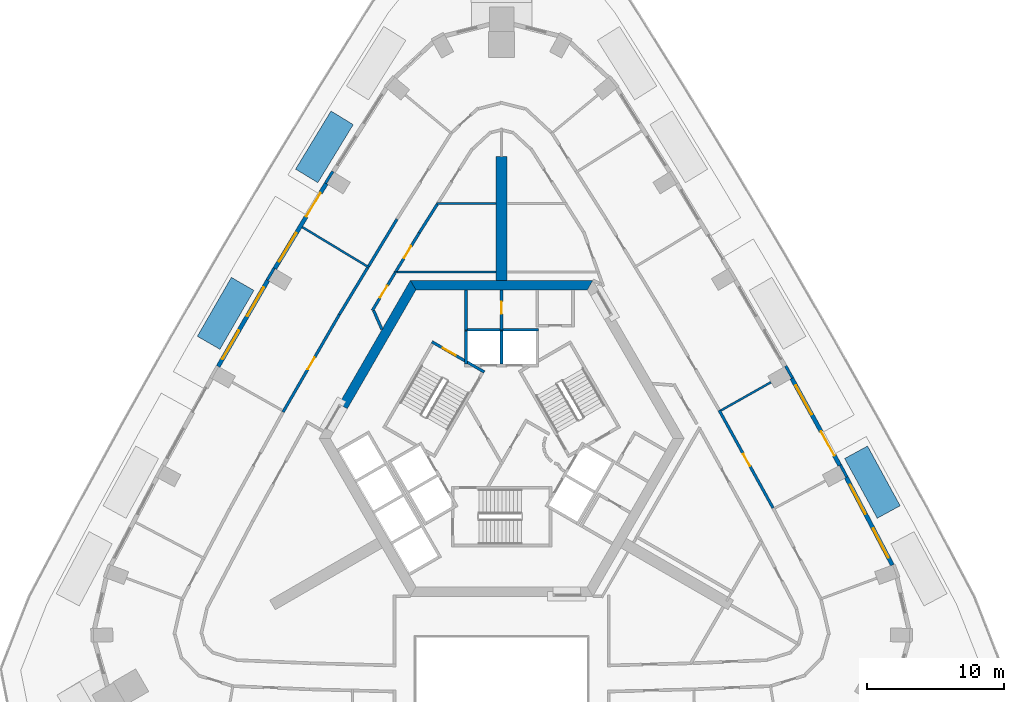
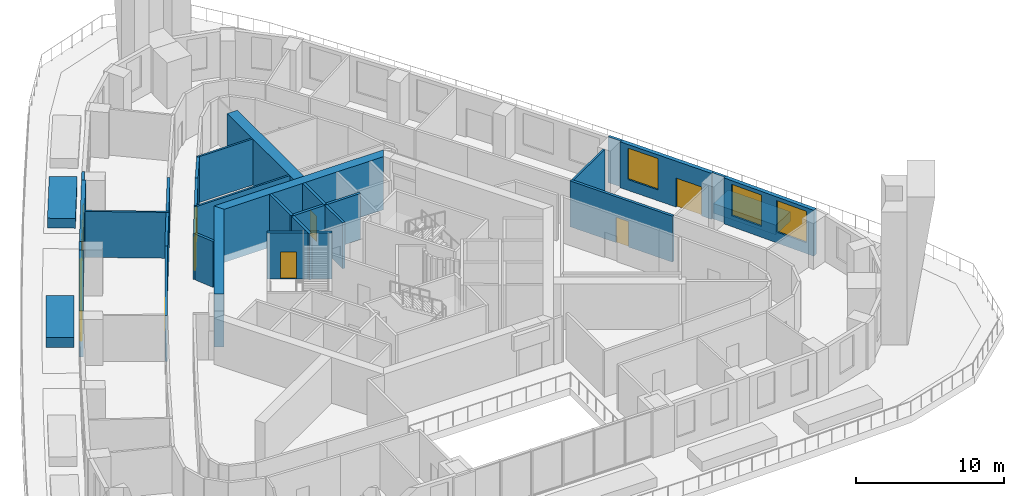
# One storey, part 8 of 13: 32 walls, 8 doors, 6 windows, 14 openings.
"""IFC4 building model written with IfcOpenShell, lengths in metres."""

from ifc_helpers import new_model, si_unit, direction, frame, frame_2d, origin, place, context, subcontext, project, spatial, polyline, rectangle, outline, extrude, material, layer, layer_set, type_object, element, fill, save


model = new_model("IFC4")

# Units and contexts
model_context = context("Model", 3, precision=1e-05, world=origin(), true_north=direction((0.0, 1.0)))
body_context = subcontext(model_context, "Body", "Model", "MODEL_VIEW")
ifc_project = project(units=[si_unit("LENGTHUNIT", "METRE"), si_unit("AREAUNIT", "SQUARE_METRE"), si_unit("VOLUMEUNIT", "CUBIC_METRE"), si_unit("PLANEANGLEUNIT", "RADIAN"), si_unit("MASSUNIT", "GRAM", prefix="KILO")], contexts=[model_context])

# Site, building, storey
site_placement = place(None, origin())
site = spatial("IfcSite", under=ifc_project, at=site_placement, CompositionType="ELEMENT")
building_placement = place(site_placement, origin())
building = spatial("IfcBuilding", under=site, at=building_placement, Name="Entoto Arch Interchange Tower", CompositionType="ELEMENT")
storey_placement = place(building_placement, frame((0.0, 0.0, 189.800048828125)))
storey = spatial("IfcBuildingStorey", under=building, at=storey_placement, Name="L42", CompositionType="ELEMENT", Elevation=189.800048828125)

# Walls
ifc_material_1 = material(Name="Concrete C50/60", Category="concrete")
ifc_layer_1 = layer(ifc_material_1, 0.800048828125)
ifc_layer_set_1 = layer_set([ifc_layer_1], Name="Concrete C50/60")
wall_type_1 = type_object("IfcWallType", Name="Buttress wall 800 C50/60", PredefinedType="SHEAR", material=ifc_layer_set_1)
wall_1_placement = place(storey_placement, frame((0.0, 14.0, -0.60009765625), z_axis=(0.0, 0.0, 1.0), x_axis=(0.0, 1.0, 0.0)))
element("IfcWall", 1, at=wall_1_placement, inside=storey, type_object=wall_type_1, Name="Buttress wall N L42", PredefinedType="SHEAR", context=body_context, shape_type="SweptSolid", body=[
    extrude(rectangle(XDim=9.0, YDim=0.800048828125, at=frame_2d((4.5, 0.0))), origin(), (0.0, 0.0, 1.0), 4.400146484375),
])
ifc_layer_2 = layer(ifc_material_1, 0.699951171875)
ifc_layer_set_2 = layer_set([ifc_layer_2], Name="Concrete C50/60")
wall_type_2 = type_object("IfcWallType", Name="Core wall 700 C50/60", PredefinedType="SHEAR", material=ifc_layer_set_2)
wall_2_placement = place(storey_placement, frame((0.0, 0.0, -0.60009765625)))
element("IfcWall", 2, at=wall_2_placement, inside=storey, type_object=wall_type_2, Name="Core wall N L42", PredefinedType="SHEAR", context=body_context, shape_type="SweptSolid", body=[
    extrude(outline(polyline([(6.639892578125, 14.0), (-6.639892578125, 14.0), (-6.235107421875, 13.300048828125), (6.235107421875, 13.300048828125), (6.639892578125, 14.0)])), origin(), (0.0, 0.0, 1.0), 4.400146484375),
])
wall_3_placement = place(storey_placement, frame((0.0, 0.0, -0.60009765625)))
element("IfcWall", 3, at=wall_3_placement, inside=storey, type_object=wall_type_2, Name="Core wall NW L42", PredefinedType="SHEAR", context=body_context, shape_type="SweptSolid", body=[
    extrude(outline(polyline([(-11.833984375, 5.001953125), (-11.22802734375, 4.652099609375), (-6.235107421875, 13.300048828125), (-6.639892578125, 14.0), (-11.833984375, 5.001953125)])), origin(), (0.0, 0.0, 1.0), 4.400146484375),
])
ifc_material_2 = material(Name="Concrete C40/50", Category="concrete")
ifc_layer_3 = layer(ifc_material_2, 0.199951171875)
ifc_layer_set_3 = layer_set([ifc_layer_3], Name="Concrete C40/50")
wall_type_3 = type_object("IfcWallType", Name="LIFT SHAFT WALL 200", PredefinedType="STANDARD", material=ifc_layer_set_3)
wall_4_placement = place(storey_placement, frame((2.699951171875, 10.39990234375, 0.0), z_axis=(0.0, 0.0, 1.0), x_axis=(-1.0, 0.0, 0.0)))
element("IfcWall", 4, at=wall_4_placement, inside=storey, type_object=wall_type_3, Name="Shaft wall N1 back", PredefinedType="STANDARD", context=body_context, shape_type="SweptSolid", body=[
    extrude(rectangle(XDim=5.39990234375, YDim=0.199951171875, at=frame_2d((2.699951171875, 0.0))), origin(), (0.0, 0.0, 1.0), 3.800048828125),
])
for number, where, z_axis, x_axis, name in (
    (5, (0.0, 7.89990234375, 0.0), (0.0, 0.0, 1.0), (0.0, 1.0, 0.0), "Shaft wall N1 cross 2"),
    (6, (-2.60009765625, 7.89990234375, 0.0), (0.0, 0.0, 1.0), (0.0, 1.0, 0.0), "Shaft wall N1 cross 3"),
):
    element("IfcWall", number, at=place(storey_placement, frame(where, z_axis=z_axis, x_axis=x_axis)), inside=storey, type_object=wall_type_3, Name=name, PredefinedType="STANDARD", context=body_context, shape_type="SweptSolid", body=[
        extrude(rectangle(XDim=2.400146484375, YDim=0.199951171875, at=frame_2d((1.2001953125, 0.0))), origin(), (0.0, 0.0, 1.0), 3.800048828125),
    ])
ifc_material_3 = material(Name="Gypsum board partition on steel studs", Category="steel")
ifc_layer_4 = layer(ifc_material_3, 0.14990234375)
ifc_layer_set_4 = layer_set([ifc_layer_4], Name="Gypsum board partition on steel studs")
wall_type_4 = type_object("IfcWallType", Name="PARTITION 150", PredefinedType="PARTITIONING", material=ifc_layer_set_4)
wall_5_placement = place(storey_placement, frame((-0.39990234375, 14.60009765625, 0.0), z_axis=(0.0, 0.0, 1.0), x_axis=(-1.0, 0.0, 0.0)))
element("IfcWall", 7, at=wall_5_placement, inside=storey, type_object=wall_type_4, Name="wall:L42:p078", PredefinedType="PARTITIONING", context=body_context, shape_type="SweptSolid", body=[
    extrude(rectangle(XDim=7.420166015625, YDim=0.14990234375, at=frame_2d((3.7099609375, 0.0))), origin(), (0.0, 0.0, 1.0), 3.800048828125),
])
wall_6_placement = place(storey_placement, frame((-4.741943359375, 19.60009765625, 0.0), z_axis=(0.0, 0.0, 1.0), x_axis=(1.0, 0.0, 0.0)))
element("IfcWall", 8, at=wall_6_placement, inside=storey, type_object=wall_type_4, Name="wall:L42:p101", PredefinedType="PARTITIONING", context=body_context, shape_type="SweptSolid", body=[
    extrude(rectangle(XDim=4.342041015625, YDim=0.14990234375, at=frame_2d((2.1708984375, 0.0))), origin(), (0.0, 0.0, 1.0), 3.800048828125),
])
wall_7_placement = place(storey_placement, frame((15.9541015625, 4.52587890625, 0.0), z_axis=(0.0, 0.0, 1.0), x_axis=(0.870940016277, 0.491389344663, 0.0)))
element("IfcWall", 9, at=wall_7_placement, inside=storey, type_object=wall_type_4, Name="wall:L42:p112", PredefinedType="PARTITIONING", context=body_context, shape_type="SweptSolid", body=[
    extrude(rectangle(XDim=4.180419921875, YDim=0.14990234375, at=frame_2d((2.09033203125, 0.0))), origin(), (0.0, 0.0, 1.0), 3.800048828125),
])
wall_8_placement = place(storey_placement, frame((-9.6279296875, 14.924072265625, 0.0), z_axis=(0.0, 0.0, 1.0), x_axis=(-0.855931736607, 0.517088834021, 0.0)))
element("IfcWall", 10, at=wall_8_placement, inside=storey, type_object=wall_type_4, Name="wall:L42:p117", PredefinedType="PARTITIONING", context=body_context, shape_type="SweptSolid", body=[
    extrude(rectangle(XDim=5.69921875, YDim=0.14990234375, at=frame_2d((2.849609375, 0.0))), origin(), (0.0, 0.0, 1.0), 3.800048828125),
])

# Wall, opening, door
ifc_layer_5 = layer(ifc_material_3, 0.199951171875)
ifc_layer_set_5 = layer_set([ifc_layer_5], Name="Gypsum board partition on steel studs")
wall_type_5 = type_object("IfcWallType", Name="PARTITION 200", PredefinedType="PARTITIONING", material=ifc_layer_set_5)
wall_9_placement = place(storey_placement, frame((-7.759033203125, 14.535888671875, 0.0), z_axis=(0.0, 0.0, 1.0), x_axis=(-0.516926279395, -0.856029918678, 0.0)))
wall_9 = element("IfcWall", 11, at=wall_9_placement, inside=storey, type_object=wall_type_5, Name="wall:L42:p003", PredefinedType="PARTITIONING", context=body_context, shape_type="SweptSolid", body=[
    extrude(rectangle(XDim=3.18798828125, YDim=0.199951171875, at=frame_2d((1.593994140625, 0.0))), origin(), (0.0, 0.0, 1.0), 3.800048828125),
])
opening_1_placement = place(wall_9_placement, frame((1.093994140625, 0.0, 0.0)))
opening_1 = element("IfcOpeningElement", 12, at=opening_1_placement, cuts=wall_9, Name="Opening L42-D26", PredefinedType="OPENING", context=body_context, shape_type="SweptSolid", body=[
    extrude(rectangle(XDim=1.0, YDim=2.10009765625, at=frame_2d((0.5, 1.050048828125))), frame((0.0, 0.10986328125, 0.0), z_axis=(0.0, -1.0, 0.0), x_axis=(1.0, 0.0, 0.0)), (0.0, 0.0, 1.0), 0.219970703125),
])
ifc_material_4 = material(Name="Timber door leaf in Steel S235 frame", Category="steel")
door_type_1 = type_object("IfcDoorType", Name="DOOR DS-10 1000x2100", OperationType="SINGLE_SWING_LEFT", PredefinedType="DOOR", material=ifc_material_4)
door_1_placement = place(opening_1_placement, origin())
door_1 = element("IfcDoor", 13, at=door_1_placement, inside=storey, type_object=door_type_1, Name="door:L42:26", OperationType="SINGLE_SWING_LEFT", OverallHeight=2.10009765625, OverallWidth=1.0, PredefinedType="DOOR", context=body_context, shape_type="SweptSolid", body=[
    extrude(rectangle(XDim=1.0, YDim=2.10009765625, at=frame_2d((0.5, 1.050048828125))), frame((0.0, 0.02490234375, 0.0), z_axis=(0.0, -1.0, 0.0), x_axis=(1.0, 0.0, 0.0)), (0.0, 0.0, 1.0), 0.050048828125),
])
fill(opening_1, door_1)

# Walls
wall_10_placement = place(storey_placement, frame((-9.31494140625, 11.801025390625, 0.0), z_axis=(0.0, 0.0, 1.0), x_axis=(0.403943240321, -0.914784050254, 0.0)))
element("IfcWall", 14, at=wall_10_placement, inside=storey, type_object=wall_type_5, Name="wall:L42:p004", PredefinedType="PARTITIONING", context=body_context, shape_type="SweptSolid", body=[
    extrude(rectangle(XDim=1.50732421875, YDim=0.199951171875, at=frame_2d((0.753662109375, 0.0))), origin(), (0.0, 0.0, 1.0), 3.800048828125),
])
wall_11_placement = place(storey_placement, frame((-4.681884765625, 19.537109375, 0.0), z_axis=(0.0, 0.0, 1.0), x_axis=(-0.533579580306, -0.845749863423, 0.0)))
element("IfcWall", 15, at=wall_11_placement, inside=storey, type_object=wall_type_5, Name="wall:L42:p009", PredefinedType="PARTITIONING", context=body_context, shape_type="SweptSolid", body=[
    extrude(rectangle(XDim=2.466552734375, YDim=0.199951171875, at=frame_2d((1.2333984375, 0.0))), origin(), (0.0, 0.0, 1.0), 3.800048828125),
])

# Wall, opening, door
wall_12_placement = place(storey_placement, frame((-5.998046875, 17.450927734375, 0.0), z_axis=(0.0, 0.0, 1.0), x_axis=(-0.516919907997, -0.856033766108, 0.0)))
wall_12 = element("IfcWall", 16, at=wall_12_placement, inside=storey, type_object=wall_type_5, Name="wall:L42:p010", PredefinedType="PARTITIONING", context=body_context, shape_type="SweptSolid", body=[
    extrude(rectangle(XDim=3.255615234375, YDim=0.199951171875, at=frame_2d((1.6279296875, 0.0))), origin(), (0.0, 0.0, 1.0), 3.800048828125),
])
opening_2_placement = place(wall_12_placement, frame((1.1279296875, 0.0, 0.0)))
opening_2 = element("IfcOpeningElement", 17, at=opening_2_placement, cuts=wall_12, Name="Opening L42-D22", PredefinedType="OPENING", context=body_context, shape_type="SweptSolid", body=[
    extrude(rectangle(XDim=1.0, YDim=2.10009765625, at=frame_2d((0.5, 1.050048828125))), frame((0.0, 0.10986328125, 0.0), z_axis=(0.0, -1.0, 0.0), x_axis=(1.0, 0.0, 0.0)), (0.0, 0.0, 1.0), 0.219970703125),
])
door_2_placement = place(opening_2_placement, origin())
door_2 = element("IfcDoor", 18, at=door_2_placement, inside=storey, type_object=door_type_1, Name="door:L42:22", OperationType="SINGLE_SWING_RIGHT", OverallHeight=2.10009765625, OverallWidth=1.0, PredefinedType="DOOR", context=body_context, shape_type="SweptSolid", body=[
    extrude(rectangle(XDim=1.0, YDim=2.10009765625, at=frame_2d((0.5, 1.050048828125))), frame((0.0, 0.02490234375, 0.0), z_axis=(0.0, -1.0, 0.0), x_axis=(1.0, 0.0, 0.0)), (0.0, 0.0, 1.0), 0.050048828125),
])
fill(opening_2, door_2)

wall_13_placement = place(storey_placement, frame((15.8310546875, 4.5419921875, 0.0), z_axis=(0.0, 0.0, 1.0), x_axis=(0.482835531749, -0.875711053533, 0.0)))
wall_13 = element("IfcWall", 19, at=wall_13_placement, inside=storey, type_object=wall_type_5, Name="wall:L42:p042", PredefinedType="PARTITIONING", context=body_context, shape_type="SweptSolid", body=[
    extrude(rectangle(XDim=8.114501953125, YDim=0.199951171875, at=frame_2d((4.05712890625, 0.0))), origin(), (0.0, 0.0, 1.0), 3.800048828125),
])
opening_3_placement = place(wall_13_placement, frame((3.632080078125, 0.0, 0.0)))
opening_3 = element("IfcOpeningElement", 20, at=opening_3_placement, cuts=wall_13, Name="Opening L42-D05", PredefinedType="OPENING", context=body_context, shape_type="SweptSolid", body=[
    extrude(rectangle(XDim=1.0, YDim=2.10009765625, at=frame_2d((0.5, 1.050048828125))), frame((0.0, 0.10986328125, 0.0), z_axis=(0.0, -1.0, 0.0), x_axis=(1.0, 0.0, 0.0)), (0.0, 0.0, 1.0), 0.219970703125),
])
door_3_placement = place(opening_3_placement, origin())
door_3 = element("IfcDoor", 21, at=door_3_placement, inside=storey, type_object=door_type_1, Name="door:L42:05", OperationType="SINGLE_SWING_RIGHT", OverallHeight=2.10009765625, OverallWidth=1.0, PredefinedType="DOOR", context=body_context, shape_type="SweptSolid", body=[
    extrude(rectangle(XDim=1.0, YDim=2.10009765625, at=frame_2d((0.5, 1.050048828125))), frame((0.0, 0.02490234375, 0.0), z_axis=(0.0, -1.0, 0.0), x_axis=(1.0, 0.0, 0.0)), (0.0, 0.0, 1.0), 0.050048828125),
])
fill(opening_3, door_3)

# Wall
wall_14_placement = place(storey_placement, frame((-9.674072265625, 15.0390625, 0.0), z_axis=(0.0, 0.0, 1.0), x_axis=(0.516918251554, 0.856034766356, 0.0)))
element("IfcWall", 22, at=wall_14_placement, inside=storey, type_object=wall_type_5, Name="wall:L42:p052", PredefinedType="PARTITIONING", context=body_context, shape_type="SweptSolid", body=[
    extrude(rectangle(XDim=3.9833984375, YDim=0.199951171875, at=frame_2d((1.99169921875, 0.0))), origin(), (0.0, 0.0, 1.0), 3.800048828125),
])

# Wall, opening, door
wall_15_placement = place(storey_placement, frame((-15.905029296875, 4.412109375, 0.0), z_axis=(0.0, 0.0, 1.0), x_axis=(0.5000098125, 0.866019738461, 0.0)))
wall_15 = element("IfcWall", 23, at=wall_15_placement, inside=storey, type_object=wall_type_5, Name="wall:L42:p054", PredefinedType="PARTITIONING", context=body_context, shape_type="SweptSolid", body=[
    extrude(rectangle(XDim=8.187744140625, YDim=0.199951171875, at=frame_2d((4.09375, 0.0))), origin(), (0.0, 0.0, 1.0), 3.800048828125),
])
opening_4_placement = place(wall_15_placement, frame((3.593994140625, 0.0, 0.0)))
opening_4 = element("IfcOpeningElement", 24, at=opening_4_placement, cuts=wall_15, Name="Opening L42-D11", PredefinedType="OPENING", context=body_context, shape_type="SweptSolid", body=[
    extrude(rectangle(XDim=1.0, YDim=2.10009765625, at=frame_2d((0.5, 1.050048828125))), frame((0.0, 0.10986328125, 0.0), z_axis=(0.0, -1.0, 0.0), x_axis=(1.0, 0.0, 0.0)), (0.0, 0.0, 1.0), 0.219970703125),
])
door_4_placement = place(opening_4_placement, origin())
door_4 = element("IfcDoor", 25, at=door_4_placement, inside=storey, type_object=door_type_1, Name="door:L42:11", OperationType="SINGLE_SWING_LEFT", OverallHeight=2.10009765625, OverallWidth=1.0, PredefinedType="DOOR", context=body_context, shape_type="SweptSolid", body=[
    extrude(rectangle(XDim=1.0, YDim=2.10009765625, at=frame_2d((0.5, 1.050048828125))), frame((0.0, 0.02490234375, 0.0), z_axis=(0.0, -1.0, 0.0), x_axis=(1.0, 0.0, 0.0)), (0.0, 0.0, 1.0), 0.050048828125),
])
fill(opening_4, door_4)

# Walls
wall_16_placement = place(storey_placement, frame((-11.81103515625, 11.5029296875, 0.0), z_axis=(0.0, 0.0, 1.0), x_axis=(0.517135291957, 0.855903668535, 0.0)))
element("IfcWall", 26, at=wall_16_placement, inside=storey, type_object=wall_type_5, Name="wall:L42:p055", PredefinedType="PARTITIONING", context=body_context, shape_type="SweptSolid", body=[
    extrude(rectangle(XDim=3.981689453125, YDim=0.199951171875, at=frame_2d((1.99072265625, 0.0))), origin(), (0.0, 0.0, 1.0), 3.800048828125),
])
wall_17_placement = place(storey_placement, frame((-2.59912109375, 10.39892578125, 0.0), z_axis=(0.0, 0.0, 1.0), x_axis=(-0.000336615314, 0.999999943345, 0.0)))
element("IfcWall", 27, at=wall_17_placement, inside=storey, type_object=wall_type_5, Name="wall:L42:p069", PredefinedType="PARTITIONING", context=body_context, shape_type="SweptSolid", body=[
    extrude(rectangle(XDim=2.901123046875, YDim=0.199951171875, at=frame_2d((1.45068359375, 0.0))), origin(), (0.0, 0.0, 1.0), 3.800048828125),
])

# Wall, opening, door
wall_18_placement = place(storey_placement, frame((0.0, 13.300048828125, 0.0), z_axis=(0.0, 0.0, 1.0), x_axis=(-0.000336728662, -0.999999943307, 0.0)))
wall_18 = element("IfcWall", 28, at=wall_18_placement, inside=storey, type_object=wall_type_5, Name="wall:L42:p070", PredefinedType="PARTITIONING", context=body_context, shape_type="SweptSolid", body=[
    extrude(rectangle(XDim=2.900146484375, YDim=0.199951171875, at=frame_2d((1.4501953125, 0.0))), origin(), (0.0, 0.0, 1.0), 3.800048828125),
])
opening_5_placement = place(wall_18_placement, frame((0.85009765625, 0.0, 0.0)))
opening_5 = element("IfcOpeningElement", 29, at=opening_5_placement, cuts=wall_18, Name="Opening L42-D31", PredefinedType="OPENING", context=body_context, shape_type="SweptSolid", body=[
    extrude(rectangle(XDim=0.89990234375, YDim=2.10009765625, at=frame_2d((0.449951171875, 1.050048828125))), frame((0.0, 0.10986328125, 0.0), z_axis=(0.0, -1.0, 0.0), x_axis=(1.0, 0.0, 0.0)), (0.0, 0.0, 1.0), 0.219970703125),
])
door_type_2 = type_object("IfcDoorType", Name="DOOR DS-09 900x2100", OperationType="SINGLE_SWING_LEFT", PredefinedType="DOOR", material=ifc_material_4)
door_5_placement = place(opening_5_placement, origin())
door_5 = element("IfcDoor", 30, at=door_5_placement, inside=storey, type_object=door_type_2, Name="door:L42:31", OperationType="SINGLE_SWING_RIGHT", OverallHeight=2.10009765625, OverallWidth=0.89990234375, PredefinedType="DOOR", context=body_context, shape_type="SweptSolid", body=[
    extrude(rectangle(XDim=0.89990234375, YDim=2.10009765625, at=frame_2d((0.449951171875, 1.050048828125))), frame((0.0, 0.02490234375, 0.0), z_axis=(0.0, -1.0, 0.0), x_axis=(1.0, 0.0, 0.0)), (0.0, 0.0, 1.0), 0.050048828125),
])
fill(opening_5, door_5)

# Walls
ifc_material_5 = material(Name="Board-marked precast concrete C50/60", Category="concrete")
ifc_layer_6 = layer(ifc_material_5, 1.89990234375)
ifc_layer_set_6 = layer_set([ifc_layer_6], Name="Board-marked precast concrete C50/60")
wall_type_6 = type_object("IfcWallType", Name="PLANTER RC 1900 Afrocarpus falcatus", PredefinedType="STANDARD", material=ifc_layer_set_6)
for number, where, z_axis, x_axis, name in (
    (31, (28.16796875, -2.861083984375, 0.0), (0.0, 0.0, 1.0), (-0.479445954257, 0.87757140846, 0.0), "Terrace planter NE-02 L42"),
    (32, (-11.60595703125, 25.824951171875, 0.0), (0.0, 0.0, 1.0), (-0.520440925316, -0.853897677275, 0.0), "Terrace planter NW-02 L42"),
):
    element("IfcWall", number, at=place(storey_placement, frame(where, z_axis=z_axis, x_axis=x_axis)), inside=storey, type_object=wall_type_6, Name=name, PredefinedType="STANDARD", context=body_context, shape_type="SweptSolid", body=[
        extrude(rectangle(XDim=4.95361328125, YDim=1.89990234375, at=frame_2d((2.476806640625, 0.0))), origin(), (0.0, 0.0, 1.0), 0.800048828125),
    ])
ifc_layer_7 = layer(ifc_material_5, 1.89990234375)
ifc_layer_set_7 = layer_set([ifc_layer_7], Name="Board-marked precast concrete C50/60")
wall_type_7 = type_object("IfcWallType", Name="PLANTER RC 1900 Vachellia abyssinica", PredefinedType="STANDARD", material=ifc_layer_set_7)
wall_19_placement = place(storey_placement, frame((-18.843994140625, 13.739990234375, 0.0), z_axis=(0.0, 0.0, 1.0), x_axis=(-0.500029609304, -0.86600830817, 0.0)))
element("IfcWall", 33, at=wall_19_placement, inside=storey, type_object=wall_type_7, Name="Terrace planter NW-04 L42", PredefinedType="STANDARD", context=body_context, shape_type="SweptSolid", body=[
    extrude(rectangle(XDim=4.953857421875, YDim=1.89990234375, at=frame_2d((2.47705078125, 0.0))), origin(), (0.0, 0.0, 1.0), 0.800048828125),
])

# Wall, opening, door
ifc_layer_8 = layer(ifc_material_2, 0.199951171875)
ifc_layer_set_8 = layer_set([ifc_layer_8], Name="Concrete C40/50")
wall_type_8 = type_object("IfcWallType", Name="STAIR ENCLOSURE WALL 200", PredefinedType="STANDARD", material=ifc_layer_set_8)
wall_20_placement = place(storey_placement, frame((-1.256103515625, 7.323974609375, 0.0), z_axis=(0.0, 0.0, 1.0), x_axis=(-0.866046073146, 0.499964197906, 0.0)))
wall_20 = element("IfcWall", 34, at=wall_20_placement, inside=storey, type_object=wall_type_8, Name="Stair wall ST-NW near", PredefinedType="STANDARD", context=body_context, shape_type="SweptSolid", body=[
    extrude(rectangle(XDim=4.400146484375, YDim=0.199951171875, at=frame_2d((2.2001953125, 0.0))), origin(), (0.0, 0.0, 1.0), 3.800048828125),
])
opening_6_placement = place(wall_20_placement, frame((2.39990234375, 0.0, 0.0)))
opening_6 = element("IfcOpeningElement", 35, at=opening_6_placement, cuts=wall_20, Name="Opening SD-ST-NW-L42-E", PredefinedType="OPENING", context=body_context, shape_type="SweptSolid", body=[
    extrude(rectangle(XDim=1.10009765625, YDim=2.199951171875, at=frame_2d((0.550048828125, 1.10009765625))), frame((0.0, 0.10986328125, 0.0), z_axis=(0.0, -1.0, 0.0), x_axis=(1.0, 0.0, 0.0)), (0.0, 0.0, 1.0), 0.219970703125),
])
ifc_material_6 = material(Name="Steel S235", Category="steel")
door_type_3 = type_object("IfcDoorType", Name="STAIR DOOR SD1 1100x2200", OperationType="SINGLE_SWING_LEFT", PredefinedType="DOOR", material=ifc_material_6)
door_6_placement = place(opening_6_placement, origin())
door_6 = element("IfcDoor", 36, at=door_6_placement, inside=storey, type_object=door_type_3, Name="Stair door ST-NW L42 end", OperationType="SINGLE_SWING_LEFT", OverallHeight=2.199951171875, OverallWidth=1.10009765625, PredefinedType="DOOR", context=body_context, shape_type="SweptSolid", body=[
    extrude(rectangle(XDim=1.10009765625, YDim=2.199951171875, at=frame_2d((0.550048828125, 1.10009765625))), frame((0.0, 0.02490234375, 0.0), z_axis=(0.0, -1.0, 0.0), x_axis=(1.0, 0.0, 0.0)), (0.0, 0.0, 1.0), 0.050048828125),
])
fill(opening_6, door_6)

# Wall, openings, windows
ifc_material_7 = material(Name="Welded tuff (ignimbrite) cladding, warm buff", Category="masonry")
ifc_layer_9 = layer(ifc_material_7, 0.300048828125)
ifc_layer_set_9 = layer_set([ifc_layer_9], Name="Welded tuff (ignimbrite) cladding, warm buff")
wall_type_9 = type_object("IfcWallType", Name="STONE INFILL WALL 300", PredefinedType="STANDARD", material=ifc_layer_set_9)
wall_21_placement = place(storey_placement, frame((28.43505859375, -6.72412109375, 0.0), z_axis=(0.0, 0.0, 1.0), x_axis=(-0.465478369088, 0.885059256723, 0.0)))
wall_21 = element("IfcWall", 37, at=wall_21_placement, inside=storey, type_object=wall_type_9, Name="Facade wall NE-01 L42", PredefinedType="STANDARD", context=body_context, shape_type="SweptSolid", body=[
    extrude(rectangle(XDim=7.20751953125, YDim=0.300048828125, at=frame_2d((3.603759765625, 0.0))), origin(), (0.0, 0.0, 1.0), 3.800048828125),
])
opening_7_placement = place(wall_21_placement, frame((0.60205078125, 0.0, 0.89990234375)))
opening_7 = element("IfcOpeningElement", 38, at=opening_7_placement, cuts=wall_21, Name="Opening WO-A", PredefinedType="OPENING", context=body_context, shape_type="SweptSolid", body=[
    extrude(rectangle(XDim=2.39990234375, YDim=2.60009765625, at=frame_2d((1.199951171875, 1.300048828125))), frame((0.0, 0.16015625, 0.0), z_axis=(0.0, -1.0, 0.0), x_axis=(1.0, 0.0, 0.0)), (0.0, 0.0, 1.0), 0.320068359375),
])
opening_8_placement = place(wall_21_placement, frame((4.2060546875, 0.0, 0.89990234375)))
opening_8 = element("IfcOpeningElement", 39, at=opening_8_placement, cuts=wall_21, Name="Opening WO-A", PredefinedType="OPENING", context=body_context, shape_type="SweptSolid", body=[
    extrude(rectangle(XDim=2.39990234375, YDim=2.60009765625, at=frame_2d((1.199951171875, 1.300048828125))), frame((0.0, 0.16015625, 0.0), z_axis=(0.0, -1.0, 0.0), x_axis=(1.0, 0.0, 0.0)), (0.0, 0.0, 1.0), 0.320068359375),
])
ifc_material_8 = material(Name="Clear glass, low-e double glazed", Category="glass")
window_type = type_object("IfcWindowType", Name="WINDOW WO-A 2400x2600", PartitioningType="DOUBLE_PANEL_VERTICAL", PredefinedType="WINDOW", material=ifc_material_8)
window_1_placement = place(opening_7_placement, origin())
window_1 = element("IfcWindow", 40, at=window_1_placement, inside=storey, type_object=window_type, Name="Window WO-A NE-01 L42", OverallHeight=2.60009765625, OverallWidth=2.39990234375, PartitioningType="SINGLE_PANEL", PredefinedType="WINDOW", context=body_context, shape_type="SweptSolid", body=[
    extrude(rectangle(XDim=2.39990234375, YDim=2.60009765625, at=frame_2d((1.199951171875, 1.300048828125))), frame((0.0, 0.030029296875, 0.0), z_axis=(0.0, -1.0, 0.0), x_axis=(1.0, 0.0, 0.0)), (0.0, 0.0, 1.0), 0.06005859375),
])
fill(opening_7, window_1)
window_2_placement = place(opening_8_placement, origin())
window_2 = element("IfcWindow", 41, at=window_2_placement, inside=storey, type_object=window_type, Name="Window WO-A NE-01 L42", OverallHeight=2.60009765625, OverallWidth=2.39990234375, PartitioningType="SINGLE_PANEL", PredefinedType="WINDOW", context=body_context, shape_type="SweptSolid", body=[
    extrude(rectangle(XDim=2.39990234375, YDim=2.60009765625, at=frame_2d((1.199951171875, 1.300048828125))), frame((0.0, 0.030029296875, 0.0), z_axis=(0.0, -1.0, 0.0), x_axis=(1.0, 0.0, 0.0)), (0.0, 0.0, 1.0), 0.06005859375),
])
fill(opening_8, window_2)

# Wall, openings, door, window
wall_22_placement = place(storey_placement, frame((24.60693359375, 0.533935546875, 0.0), z_axis=(0.0, 0.0, 1.0), x_axis=(-0.482862185961, 0.875696356832, 0.0)))
wall_22 = element("IfcWall", 42, at=wall_22_placement, inside=storey, type_object=wall_type_9, Name="Facade wall NE-02 L42", PredefinedType="STANDARD", context=body_context, shape_type="SweptSolid", body=[
    extrude(rectangle(XDim=7.229736328125, YDim=0.300048828125, at=frame_2d((3.61474609375, 0.0))), origin(), (0.0, 0.0, 1.0), 3.800048828125),
])
opening_9_placement = place(wall_22_placement, frame((0.806884765625, 0.0, 0.0)))
opening_9 = element("IfcOpeningElement", 43, at=opening_9_placement, cuts=wall_22, Name="Opening DT-NE-02-L42", PredefinedType="OPENING", context=body_context, shape_type="SweptSolid", body=[
    extrude(rectangle(XDim=2.0, YDim=2.39990234375, at=frame_2d((1.0, 1.199951171875))), frame((0.0, 0.16015625, 0.0), z_axis=(0.0, -1.0, 0.0), x_axis=(1.0, 0.0, 0.0)), (0.0, 0.0, 1.0), 0.320068359375),
])
opening_10_placement = place(wall_22_placement, frame((4.221923828125, 0.0, 0.89990234375)))
opening_10 = element("IfcOpeningElement", 44, at=opening_10_placement, cuts=wall_22, Name="Opening WO-A", PredefinedType="OPENING", context=body_context, shape_type="SweptSolid", body=[
    extrude(rectangle(XDim=2.39990234375, YDim=2.60009765625, at=frame_2d((1.199951171875, 1.300048828125))), frame((0.0, 0.16015625, 0.0), z_axis=(0.0, -1.0, 0.0), x_axis=(1.0, 0.0, 0.0)), (0.0, 0.0, 1.0), 0.320068359375),
])
ifc_material_9 = material(Name="Aluminium and clear glass, anodised", Category="aluminium")
door_type_4 = type_object("IfcDoorType", Name="TERRACE DOOR DT 2000x2400", OperationType="SLIDING_TO_LEFT", PredefinedType="DOOR", material=ifc_material_9)
door_7_placement = place(opening_9_placement, origin())
door_7 = element("IfcDoor", 45, at=door_7_placement, inside=storey, type_object=door_type_4, Name="Terrace door NE-02 L42", OperationType="SLIDING_TO_LEFT", OverallHeight=2.39990234375, OverallWidth=2.0, PredefinedType="DOOR", context=body_context, shape_type="SweptSolid", body=[
    extrude(rectangle(XDim=2.0, YDim=2.39990234375, at=frame_2d((1.0, 1.199951171875))), frame((0.0, 0.02490234375, 0.0), z_axis=(0.0, -1.0, 0.0), x_axis=(1.0, 0.0, 0.0)), (0.0, 0.0, 1.0), 0.050048828125),
])
fill(opening_9, door_7)
window_3_placement = place(opening_10_placement, origin())
window_3 = element("IfcWindow", 46, at=window_3_placement, inside=storey, type_object=window_type, Name="Window WO-A NE-02 L42", OverallHeight=2.60009765625, OverallWidth=2.39990234375, PartitioningType="SINGLE_PANEL", PredefinedType="WINDOW", context=body_context, shape_type="SweptSolid", body=[
    extrude(rectangle(XDim=2.39990234375, YDim=2.60009765625, at=frame_2d((1.199951171875, 1.300048828125))), frame((0.0, 0.030029296875, 0.0), z_axis=(0.0, -1.0, 0.0), x_axis=(1.0, 0.0, 0.0)), (0.0, 0.0, 1.0), 0.06005859375),
])
fill(opening_10, window_3)

wall_23_placement = place(storey_placement, frame((-12.764892578125, 21.04296875, 0.0), z_axis=(0.0, 0.0, 1.0), x_axis=(-0.517159962006, -0.855888762456, 0.0)))
wall_23 = element("IfcWall", 47, at=wall_23_placement, inside=storey, type_object=wall_type_9, Name="Facade wall NW-02 L42", PredefinedType="STANDARD", context=body_context, shape_type="SweptSolid", body=[
    extrude(rectangle(XDim=7.22998046875, YDim=0.300048828125, at=frame_2d((3.614990234375, 0.0))), origin(), (0.0, 0.0, 1.0), 3.800048828125),
])
opening_11_placement = place(wall_23_placement, frame((0.806884765625, 0.0, 0.0)))
opening_11 = element("IfcOpeningElement", 48, at=opening_11_placement, cuts=wall_23, Name="Opening DT-NW-02-L42", PredefinedType="OPENING", context=body_context, shape_type="SweptSolid", body=[
    extrude(rectangle(XDim=2.0, YDim=2.39990234375, at=frame_2d((1.0, 1.199951171875))), frame((0.0, 0.16015625, 0.0), z_axis=(0.0, -1.0, 0.0), x_axis=(1.0, 0.0, 0.0)), (0.0, 0.0, 1.0), 0.320068359375),
])
opening_12_placement = place(wall_23_placement, frame((4.221923828125, 0.0, 0.89990234375)))
opening_12 = element("IfcOpeningElement", 49, at=opening_12_placement, cuts=wall_23, Name="Opening WO-A", PredefinedType="OPENING", context=body_context, shape_type="SweptSolid", body=[
    extrude(rectangle(XDim=2.39990234375, YDim=2.60009765625, at=frame_2d((1.199951171875, 1.300048828125))), frame((0.0, 0.16015625, 0.0), z_axis=(0.0, -1.0, 0.0), x_axis=(1.0, 0.0, 0.0)), (0.0, 0.0, 1.0), 0.320068359375),
])
door_8_placement = place(opening_11_placement, origin())
door_8 = element("IfcDoor", 50, at=door_8_placement, inside=storey, type_object=door_type_4, Name="Terrace door NW-02 L42", OperationType="SLIDING_TO_LEFT", OverallHeight=2.39990234375, OverallWidth=2.0, PredefinedType="DOOR", context=body_context, shape_type="SweptSolid", body=[
    extrude(rectangle(XDim=2.0, YDim=2.39990234375, at=frame_2d((1.0, 1.199951171875))), frame((0.0, 0.02490234375, 0.0), z_axis=(0.0, -1.0, 0.0), x_axis=(1.0, 0.0, 0.0)), (0.0, 0.0, 1.0), 0.050048828125),
])
fill(opening_11, door_8)
window_4_placement = place(opening_12_placement, origin())
window_4 = element("IfcWindow", 51, at=window_4_placement, inside=storey, type_object=window_type, Name="Window WO-A NW-02 L42", OverallHeight=2.60009765625, OverallWidth=2.39990234375, PartitioningType="SINGLE_PANEL", PredefinedType="WINDOW", context=body_context, shape_type="SweptSolid", body=[
    extrude(rectangle(XDim=2.39990234375, YDim=2.60009765625, at=frame_2d((1.199951171875, 1.300048828125))), frame((0.0, 0.030029296875, 0.0), z_axis=(0.0, -1.0, 0.0), x_axis=(1.0, 0.0, 0.0)), (0.0, 0.0, 1.0), 0.06005859375),
])
fill(opening_12, window_4)

# Wall, openings, windows
wall_24_placement = place(storey_placement, frame((-17.010986328125, 13.99609375, 0.0), z_axis=(0.0, 0.0, 1.0), x_axis=(-0.499948481376, -0.866055146033, 0.0)))
wall_24 = element("IfcWall", 52, at=wall_24_placement, inside=storey, type_object=wall_type_9, Name="Facade wall NW-03 L42", PredefinedType="STANDARD", context=body_context, shape_type="SweptSolid", body=[
    extrude(rectangle(XDim=7.230712890625, YDim=0.300048828125, at=frame_2d((3.615234375, 0.0))), origin(), (0.0, 0.0, 1.0), 3.800048828125),
])
opening_13_placement = place(wall_24_placement, frame((0.60791015625, 0.0, 0.89990234375)))
opening_13 = element("IfcOpeningElement", 53, at=opening_13_placement, cuts=wall_24, Name="Opening WO-A", PredefinedType="OPENING", context=body_context, shape_type="SweptSolid", body=[
    extrude(rectangle(XDim=2.39990234375, YDim=2.60009765625, at=frame_2d((1.199951171875, 1.300048828125))), frame((0.0, 0.16015625, 0.0), z_axis=(0.0, -1.0, 0.0), x_axis=(1.0, 0.0, 0.0)), (0.0, 0.0, 1.0), 0.320068359375),
])
opening_14_placement = place(wall_24_placement, frame((4.222900390625, 0.0, 0.89990234375)))
opening_14 = element("IfcOpeningElement", 54, at=opening_14_placement, cuts=wall_24, Name="Opening WO-A", PredefinedType="OPENING", context=body_context, shape_type="SweptSolid", body=[
    extrude(rectangle(XDim=2.39990234375, YDim=2.60009765625, at=frame_2d((1.199951171875, 1.300048828125))), frame((0.0, 0.16015625, 0.0), z_axis=(0.0, -1.0, 0.0), x_axis=(1.0, 0.0, 0.0)), (0.0, 0.0, 1.0), 0.320068359375),
])
window_5_placement = place(opening_13_placement, origin())
window_5 = element("IfcWindow", 55, at=window_5_placement, inside=storey, type_object=window_type, Name="Window WO-A NW-03 L42", OverallHeight=2.60009765625, OverallWidth=2.39990234375, PartitioningType="SINGLE_PANEL", PredefinedType="WINDOW", context=body_context, shape_type="SweptSolid", body=[
    extrude(rectangle(XDim=2.39990234375, YDim=2.60009765625, at=frame_2d((1.199951171875, 1.300048828125))), frame((0.0, 0.030029296875, 0.0), z_axis=(0.0, -1.0, 0.0), x_axis=(1.0, 0.0, 0.0)), (0.0, 0.0, 1.0), 0.06005859375),
])
fill(opening_13, window_5)
window_6_placement = place(opening_14_placement, origin())
window_6 = element("IfcWindow", 56, at=window_6_placement, inside=storey, type_object=window_type, Name="Window WO-A NW-03 L42", OverallHeight=2.60009765625, OverallWidth=2.39990234375, PartitioningType="SINGLE_PANEL", PredefinedType="WINDOW", context=body_context, shape_type="SweptSolid", body=[
    extrude(rectangle(XDim=2.39990234375, YDim=2.60009765625, at=frame_2d((1.199951171875, 1.300048828125))), frame((0.0, 0.030029296875, 0.0), z_axis=(0.0, -1.0, 0.0), x_axis=(1.0, 0.0, 0.0)), (0.0, 0.0, 1.0), 0.06005859375),
])
fill(opening_14, window_6)

# Walls
ifc_layer_10 = layer(ifc_material_7, 0.199951171875)
ifc_layer_set_10 = layer_set([ifc_layer_10], Name="Welded tuff (ignimbrite) cladding, warm buff")
wall_type_10 = type_object("IfcWallType", Name="STONE PIER CLADDING 200", PredefinedType="STANDARD", material=ifc_layer_set_10)
wall_25_placement = place(storey_placement, frame((25.12890625, -0.320068359375, 0.0), z_axis=(0.0, 0.0, 1.0), x_axis=(-0.473663196434, 0.88070606694, 0.0)))
element("IfcWall", 57, at=wall_25_placement, inside=storey, type_object=wall_type_10, Name="Stone pier NE02 L42", PredefinedType="STANDARD", context=body_context, shape_type="SweptSolid", body=[
    extrude(rectangle(XDim=1.00048828125, YDim=0.199951171875, at=frame_2d((0.500244140625, 0.0))), origin(), (0.0, 0.0, 1.0), 3.800048828125),
])
wall_26_placement = place(storey_placement, frame((21.1650390625, 6.89111328125, 0.0), z_axis=(0.0, 0.0, 1.0), x_axis=(-0.491848119507, 0.870681013539, 0.0)))
element("IfcWall", 58, at=wall_26_placement, inside=storey, type_object=wall_type_10, Name="Stone pier NE03 L42", PredefinedType="STANDARD", context=body_context, shape_type="SweptSolid", body=[
    extrude(rectangle(XDim=1.000244140625, YDim=0.199951171875, at=frame_2d((0.5, 0.0))), origin(), (0.0, 0.0, 1.0), 3.800048828125),
])
wall_27_placement = place(storey_placement, frame((-12.287109375, 21.922119140625, 0.0), z_axis=(0.0, 0.0, 1.0), x_axis=(-0.525648735675, -0.850701714282, 0.0)))
element("IfcWall", 59, at=wall_27_placement, inside=storey, type_object=wall_type_10, Name="Stone pier NW02 L42", PredefinedType="STANDARD", context=body_context, shape_type="SweptSolid", body=[
    extrude(rectangle(XDim=1.00048828125, YDim=0.199951171875, at=frame_2d((0.500244140625, 0.0))), origin(), (0.0, 0.0, 1.0), 3.800048828125),
])
wall_28_placement = place(storey_placement, frame((-16.551025390625, 14.884033203125, 0.0), z_axis=(0.0, 0.0, 1.0), x_axis=(-0.508161541526, -0.861261776531, 0.0)))
element("IfcWall", 60, at=wall_28_placement, inside=storey, type_object=wall_type_10, Name="Stone pier NW03 L42", PredefinedType="STANDARD", context=body_context, shape_type="SweptSolid", body=[
    extrude(rectangle(XDim=0.999755859375, YDim=0.199951171875, at=frame_2d((0.5, 0.0))), origin(), (0.0, 0.0, 1.0), 3.800048828125),
])

save(model, "model.ifc")
